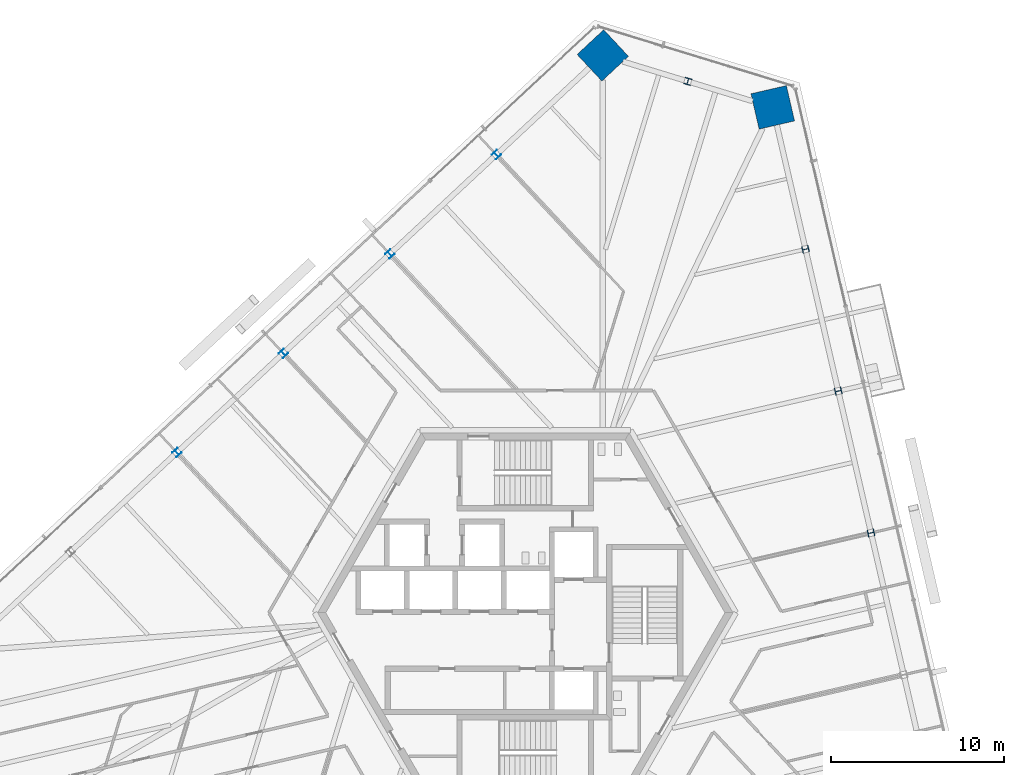
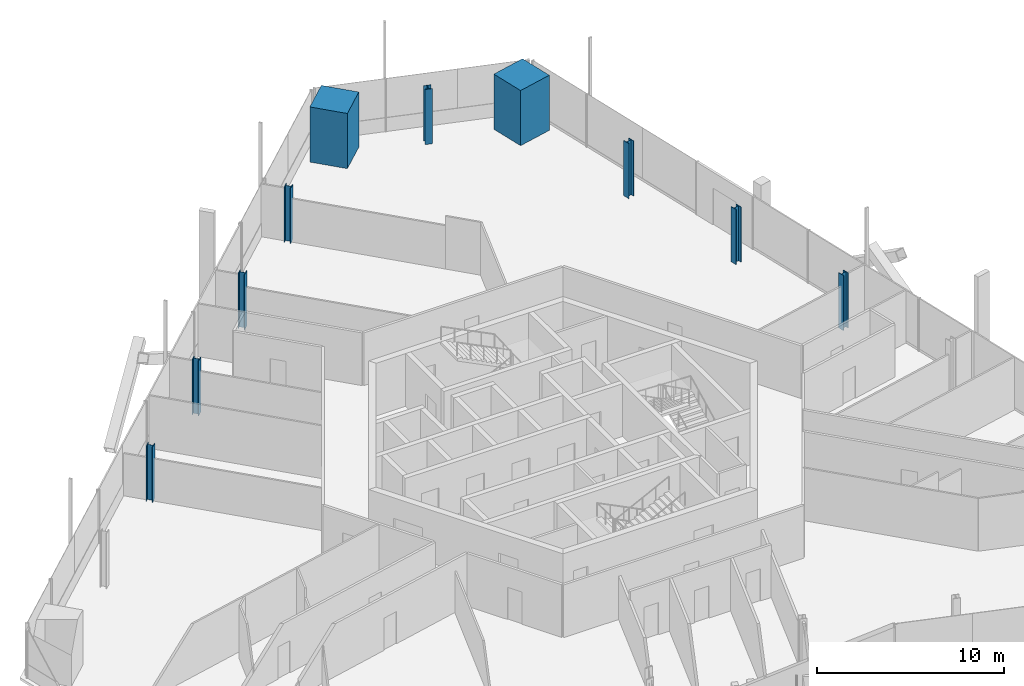
# One storey, part 3 of 24: 10 columns.
"""IFC4 building model written with IfcOpenShell, lengths in metres."""

import ifcopenshell
import ifcopenshell.guid

model = None  # the IFC model being written
_history = None  # IfcOwnerHistory: only IFC2X3 demands one
_inside = {}  # id of a spatial element -> (the spatial element, [elements in it])
_under = {}  # id of a project, library or spatial element -> (it, [spatial elements below it])
_declared = {}  # id of a project -> (the project, [libraries it declares])
_typed = {}  # id of a type object -> (the type object, [elements of that type])
_made_of = {}  # id of a material, layer set ... -> (it, [elements and type objects made of it])


def new_model(schema):
    """Start an empty IFC model of exactly this schema.

    Asked for "IFC4X3", IfcOpenShell would pick the latest addendum, in which some entities
    have other attributes; the version numbers below select the first issue.
    IFC2X3 requires an IfcOwnerHistory on every rooted entity: one is made here for all.
    """
    global model, _history
    if schema == "IFC4X3":
        model = ifcopenshell.file(schema_version=(4, 3, 0, 0))
    else:
        model = ifcopenshell.file(schema=schema)
    _inside.clear()
    _under.clear()
    _declared.clear()
    _typed.clear()
    _made_of.clear()
    _history = None
    if model.schema == "IFC2X3":
        org = make("IfcOrganization", Name="unknown")
        user = make(
            "IfcPersonAndOrganization",
            ThePerson=make("IfcPerson", FamilyName="unknown"),
            TheOrganization=org,
        )
        app = make(
            "IfcApplication",
            ApplicationDeveloper=org,
            Version="unknown",
            ApplicationFullName="unknown",
            ApplicationIdentifier="unknown",
        )
        _history = make(
            "IfcOwnerHistory",
            OwningUser=user,
            OwningApplication=app,
            ChangeAction="ADDED",
            CreationDate=0,
        )
    return model


def make(cls, **values):
    """One entity of the class cls with the attributes given. An attribute that is None is left unset."""
    return model.create_entity(
        cls, **{name: value for name, value in values.items() if value is not None}
    )


def rooted(cls, **values):
    """An entity with a GlobalId (a new one), such as an element, a storey or a relation."""
    return make(cls, GlobalId=ifcopenshell.guid.new(), OwnerHistory=_history, **values)


def si_unit(unit_type, name, prefix=None):
    """IfcSIUnit, for example si_unit("LENGTHUNIT", "METRE", prefix="MILLI")."""
    return make("IfcSIUnit", UnitType=unit_type, Prefix=prefix, Name=name)


def assignment(units):
    """IfcUnitAssignment: the units of a project."""
    return None if units is None else make("IfcUnitAssignment", Units=units)


def point(xyz):
    """IfcCartesianPoint."""
    return None if xyz is None else make("IfcCartesianPoint", Coordinates=xyz)


def direction(xyz):
    """IfcDirection."""
    return None if xyz is None else make("IfcDirection", DirectionRatios=xyz)


def frame(location, z_axis=None, x_axis=None):
    """IfcAxis2Placement3D, a coordinate frame: its origin and axes. An axis left out is left unset."""
    return make(
        "IfcAxis2Placement3D",
        Location=point(location),
        Axis=direction(z_axis),
        RefDirection=direction(x_axis),
    )


def frame_2d(location, x_axis=None):
    """IfcAxis2Placement2D, a coordinate frame in the plane: its origin and x axis."""
    return make(
        "IfcAxis2Placement2D", Location=point(location), RefDirection=direction(x_axis)
    )


def origin():
    """The frame at (0, 0, 0) with its axes left unset."""
    return frame((0.0, 0.0, 0.0))


def origin_2d():
    """The frame at (0, 0) in the plane with its x axis left unset."""
    return frame_2d((0.0, 0.0))


def place(relative_to, where):
    """IfcLocalPlacement: puts the frame where relative to a parent placement (None: the world)."""
    return make(
        "IfcLocalPlacement", PlacementRelTo=relative_to, RelativePlacement=where
    )


def context(
    kind, dimensions, precision=None, world=None, true_north=None, identifier=None
):
    """IfcGeometricRepresentationContext, for example the 3D "Model" context."""
    return make(
        "IfcGeometricRepresentationContext",
        ContextIdentifier=identifier,
        ContextType=kind,
        CoordinateSpaceDimension=dimensions,
        Precision=precision,
        WorldCoordinateSystem=world,
        TrueNorth=true_north,
    )


def subcontext(parent, identifier, kind, view, scale=None):
    """IfcGeometricRepresentationSubContext, for example "Body" below "Model"."""
    return make(
        "IfcGeometricRepresentationSubContext",
        ContextIdentifier=identifier,
        ContextType=kind,
        ParentContext=parent,
        TargetScale=scale,
        TargetView=view,
    )


def project(units=None, contexts=None):
    """IfcProject with its units and contexts."""
    return rooted(
        "IfcProject",
        Name="project",
        RepresentationContexts=contexts,
        UnitsInContext=assignment(units),
    )


def spatial(cls, under=None, at=None, **own):
    """A site, building, storey or space (cls), placed at a placement, below another one or the project."""
    s = rooted(cls, ObjectPlacement=at, **own)
    if under is not None:
        _under.setdefault(under.id(), (under, []))[1].append(s)
    return s


def profile(cls, at=None, kind="AREA", **sizes):
    """A parametric profile (cls). Its sizes go by their IFC names, for example OverallWidth=200.0."""
    return make(cls, ProfileType=kind, Position=at, **sizes)


def rectangle(**sizes):
    """IfcRectangleProfileDef."""
    return profile("IfcRectangleProfileDef", **sizes)


def i_section(**sizes):
    """IfcIShapeProfileDef."""
    return profile("IfcIShapeProfileDef", **sizes)


def extrude(swept, where, along, depth):
    """IfcExtrudedAreaSolid: the profile swept, set in the frame where, extruded along a direction by depth."""
    return make(
        "IfcExtrudedAreaSolid",
        SweptArea=swept,
        Position=where,
        ExtrudedDirection=direction(along),
        Depth=depth,
    )


def shape(context_of_items, identifier, shape_type, items):
    """IfcShapeRepresentation: the items that make up one representation, for example the "Body"."""
    return make(
        "IfcShapeRepresentation",
        ContextOfItems=context_of_items,
        RepresentationIdentifier=identifier,
        RepresentationType=shape_type,
        Items=items,
    )


def source(mapping_origin, context_of_items, identifier, shape_type, items):
    """IfcRepresentationMap: a shape defined once, which mapped items show again and again."""
    return make(
        "IfcRepresentationMap",
        MappingOrigin=mapping_origin,
        MappedRepresentation=shape(context_of_items, identifier, shape_type, items),
    )


def transform(
    local_origin,
    x_axis=None,
    y_axis=None,
    z_axis=None,
    scale=None,
    scale2=None,
    scale3=None,
    uniform=True,
):
    """IfcCartesianTransformationOperator3D, or its non-uniform kind. x_axis, y_axis, z_axis: its Axis1, 2, 3."""
    if uniform:
        return make(
            "IfcCartesianTransformationOperator3D",
            Axis1=direction(x_axis),
            Axis2=direction(y_axis),
            LocalOrigin=point(local_origin),
            Scale=scale,
            Axis3=direction(z_axis),
        )
    return make(
        "IfcCartesianTransformationOperator3DnonUniform",
        Axis1=direction(x_axis),
        Axis2=direction(y_axis),
        LocalOrigin=point(local_origin),
        Scale=scale,
        Axis3=direction(z_axis),
        Scale2=scale2,
        Scale3=scale3,
    )


def mapped(mapping_source, mapping_target):
    """IfcMappedItem: shows the shape of a source again, moved by a transform."""
    return make(
        "IfcMappedItem", MappingSource=mapping_source, MappingTarget=mapping_target
    )


def material(Name=None, Category=None):
    """IfcMaterial."""
    return make("IfcMaterial", Name=Name, Category=Category)


def material_profile(
    of_material, cross_section, Name=None, Category=None, Priority=None
):
    """IfcMaterialProfile: a cross section and its material."""
    return make(
        "IfcMaterialProfile",
        Name=Name,
        Material=of_material,
        Profile=cross_section,
        Priority=Priority,
        Category=Category,
    )


def profile_set(profiles, Name=None, composite=None):
    """IfcMaterialProfileSet."""
    return make(
        "IfcMaterialProfileSet",
        Name=Name,
        MaterialProfiles=profiles,
        CompositeProfile=composite,
    )


def made_of(thing, what):
    """Note that an element or type object is made of a material, layer set ...; save() writes the relation."""
    if what is not None:
        _made_of.setdefault(what.id(), (what, []))[1].append(thing)
    return thing


def type_object(cls, material=None, **own):
    """A type object (cls), such as IfcWallType, which elements share."""
    return made_of(rooted(cls, **own), material)


def element(
    cls,
    number,
    at=None,
    inside=None,
    cuts=None,
    type_object=None,
    material=None,
    context=None,
    identifier="Body",
    shape_type=None,
    held_by="IfcProductDefinitionShape",
    body=None,
    shapes=None,
    **own,
):
    """One element of the class cls, such as IfcWall. Its Tag is "e" and its number.

    at: its placement. inside: the storey or other place that contains it. cuts: it is an
    opening in that element (IfcRelVoidsElement). A single representation is given by context,
    identifier, shape_type and body (its items); several are given by shapes. held_by: the class
    of the entity that holds the representations. save() writes the other relations.
    """
    e = rooted(cls, Tag="e%d" % number, ObjectPlacement=at, **own)
    if body is not None:
        shapes = [shape(context, identifier, shape_type, body)]
    if shapes is not None:
        e.Representation = make(held_by, Representations=shapes)
    if inside is not None:
        _inside.setdefault(inside.id(), (inside, []))[1].append(e)
    if cuts is not None:
        rooted(
            "IfcRelVoidsElement", RelatingBuildingElement=cuts, RelatedOpeningElement=e
        )
    if type_object is not None:
        _typed.setdefault(type_object.id(), (type_object, []))[1].append(e)
    return made_of(e, material)


def aggregate(whole, parts):
    """IfcRelAggregates: a whole, such as a stair, and the parts it consists of."""
    return rooted("IfcRelAggregates", RelatingObject=whole, RelatedObjects=parts)


def save(model, path):
    """Write the relations noted so far, then the file.

    IfcRelAggregates (storeys below a building ...), IfcRelContainedInSpatialStructure (elements
    in a storey), IfcRelDefinesByType, IfcRelAssociatesMaterial and IfcRelDeclares: one each for
    every whole, place, type object, material and project.
    """
    for whole, parts in _under.values():
        aggregate(whole, parts)
    for where, things in _inside.values():
        rooted(
            "IfcRelContainedInSpatialStructure",
            RelatedElements=things,
            RelatingStructure=where,
        )
    for kind, things in _typed.values():
        rooted("IfcRelDefinesByType", RelatedObjects=things, RelatingType=kind)
    for what, things in _made_of.values():
        rooted("IfcRelAssociatesMaterial", RelatedObjects=things, RelatingMaterial=what)
    for by, libraries in _declared.values():
        rooted("IfcRelDeclares", RelatingContext=by, RelatedDefinitions=libraries)
    model.write(path)


model = new_model("IFC4")

# Units and contexts
model_context = context("Model", 3, precision=1e-05, world=origin(), true_north=direction((0.0, 1.0)))
body_context = subcontext(model_context, "Body", "Model", "MODEL_VIEW")
ifc_project = project(units=[si_unit("LENGTHUNIT", "METRE"), si_unit("AREAUNIT", "SQUARE_METRE"), si_unit("VOLUMEUNIT", "CUBIC_METRE"), si_unit("PLANEANGLEUNIT", "RADIAN"), si_unit("MASSUNIT", "GRAM", prefix="KILO")], contexts=[model_context])

# Site, building, storey
site_placement = place(None, origin())
site = spatial("IfcSite", under=ifc_project, at=site_placement, CompositionType="ELEMENT")
building_placement = place(site_placement, origin())
building = spatial("IfcBuilding", under=site, at=building_placement, Name="Triune Harvest Tower", CompositionType="ELEMENT")
storey_placement = place(building_placement, frame((0.0, 0.0, 112.699951171875)))
storey = spatial("IfcBuildingStorey", under=building, at=storey_placement, Name="L28", CompositionType="ELEMENT", Elevation=112.699951171875)

# Columns
ifc_material_1 = material(Name="Concrete 70 MPa", Category="concrete")
ifc_material_profile_1 = material_profile(ifc_material_1, rectangle(XDim=2.10009765625, YDim=2.10009765625, at=origin_2d()), Name="Composite 2100x2100")
ifc_profile_set_1 = profile_set([ifc_material_profile_1], Name="Concrete 70 MPa")
column_type_1 = type_object("IfcColumnType", Name="MC-3 Mega column Composite 2100x2100", PredefinedType="COLUMN", material=ifc_profile_set_1)
shared_shape_1 = source(origin(), body_context, "Body", "SweptSolid", [
    extrude(rectangle(XDim=2.10009765625, YDim=2.10009765625, at=origin_2d()), origin(), (0.0, 0.0, 1.0), 3.60009765625),
])
for number, where, z_axis, x_axis, name in (
    (1, (14.301513671875, 29.208984375, 0.0), (0.0, 0.0, 1.0), (-0.22495275494, 0.97436967217, 0.0), "col/L28/M6"),
    (2, (4.47705078125, 32.212646484375, 0.0), (0.0, 0.0, 1.0), (-0.73135489193, -0.681997083608, 0.0), "col/L28/M8"),
):
    element("IfcColumn", number, at=place(storey_placement, frame(where, z_axis=z_axis, x_axis=x_axis)), inside=storey, type_object=column_type_1, Name=name, PredefinedType="COLUMN", context=body_context, shape_type="MappedRepresentation", body=[
        mapped(shared_shape_1, transform((0.0, 0.0, 0.0), scale=1.0)),
    ])
ifc_material_2 = material(Name="Steel ASTM A992 Gr 50", Category="steel")
ifc_material_profile_2 = material_profile(ifc_material_2, i_section(OverallWidth=0.396240234375, OverallDepth=0.381103515625, WebThickness=0.01904296875, FlangeThickness=0.0302734375, at=origin_2d()), Name="W14x159")
ifc_profile_set_2 = profile_set([ifc_material_profile_2], Name="Steel ASTM A992 Gr 50")
column_type_2 = type_object("IfcColumnType", Name="PC-3 Perimeter column W14x159", PredefinedType="COLUMN", material=ifc_profile_set_2)
shared_shape_2 = source(origin(), body_context, "Body", "SweptSolid", [
    extrude(i_section(OverallWidth=0.396240234375, OverallDepth=0.381103515625, WebThickness=0.01904296875, FlangeThickness=0.0302734375, at=origin_2d()), origin(), (0.0, 0.0, 1.0), 3.60009765625),
])
for number, where, z_axis, x_axis, name in (
    (3, (19.97998046875, 4.61279296875, 0.0), (0.0, 0.0, 1.0), (-0.22495275494, 0.97436967217, 0.0), "col/L28/P3"),
    (4, (18.087158203125, 12.8115234375, 0.0), (0.0, 0.0, 1.0), (-0.22495275494, 0.97436967217, 0.0), "col/L28/P4"),
    (5, (16.1943359375, 21.01025390625, 0.0), (0.0, 0.0, 1.0), (-0.22495275494, 0.97436967217, 0.0), "col/L28/P5"),
    (6, (9.389404296875, 30.7109375, 0.0), (0.0, 0.0, 1.0), (-0.956304755963, 0.292371704723, 0.0), "col/L28/P7"),
    (7, (-1.6767578125, 26.47412109375, 0.0), (0.0, 0.0, 1.0), (-0.73135489193, -0.681997083608, 0.0), "col/L28/P9"),
    (8, (-7.830810546875, 20.7353515625, 0.0), (0.0, 0.0, 1.0), (-0.73135489193, -0.681997083608, 0.0), "col/L28/P10"),
    (9, (-13.984619140625, 14.996826171875, 0.0), (0.0, 0.0, 1.0), (-0.73135489193, -0.681997083608, 0.0), "col/L28/P11"),
    (10, (-20.138671875, 9.25830078125, 0.0), (0.0, 0.0, 1.0), (-0.73135489193, -0.681997083608, 0.0), "col/L28/P12"),
):
    element("IfcColumn", number, at=place(storey_placement, frame(where, z_axis=z_axis, x_axis=x_axis)), inside=storey, type_object=column_type_2, Name=name, PredefinedType="COLUMN", context=body_context, shape_type="MappedRepresentation", body=[
        mapped(shared_shape_2, transform((0.0, 0.0, 0.0), scale=1.0)),
    ])

save(model, "model.ifc")
